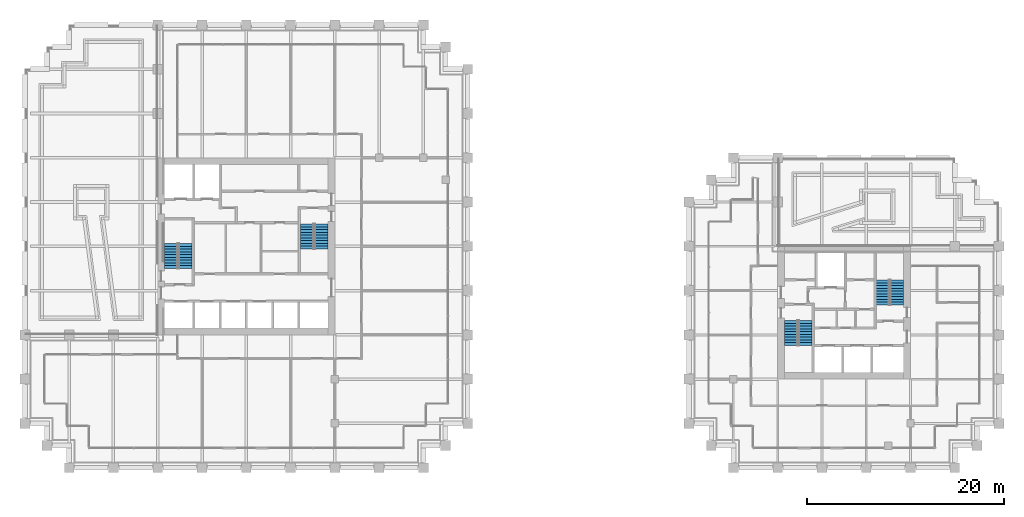
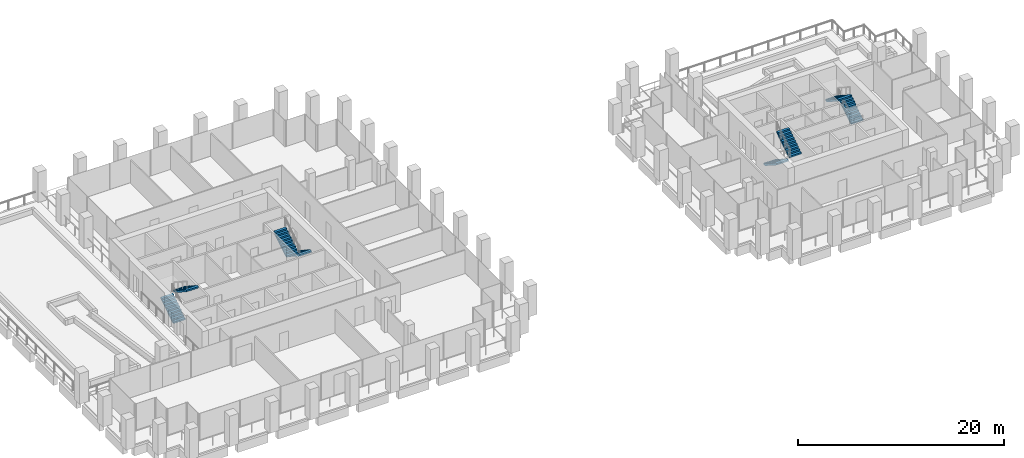
# One storey, part 49 of 52: 8 stair flights, 4 elements without a shape of their own.
"""IFC4 building model written with IfcOpenShell, lengths in metres."""

from ifc_helpers import new_model, si_unit, direction, frame, origin, place, context, subcontext, project, spatial, polyline, outline, extrude, material, type_object, element, aggregate, save


model = new_model("IFC4")

# Units and contexts
model_context = context("Model", 3, precision=1e-05, world=origin(), true_north=direction((0.0, 1.0)))
body_context = subcontext(model_context, "Body", "Model", "MODEL_VIEW")
ifc_project = project(units=[si_unit("LENGTHUNIT", "METRE"), si_unit("AREAUNIT", "SQUARE_METRE"), si_unit("VOLUMEUNIT", "CUBIC_METRE"), si_unit("PLANEANGLEUNIT", "RADIAN"), si_unit("MASSUNIT", "GRAM", prefix="KILO")], contexts=[model_context])

# Site, building, storey
site_placement = place(None, origin())
site = spatial("IfcSite", under=ifc_project, at=site_placement, CompositionType="ELEMENT")
building_placement = place(site_placement, origin())
building = spatial("IfcBuilding", under=site, at=building_placement, Name="Altepetl Exchange Towers", CompositionType="ELEMENT")
storey_placement = place(building_placement, frame((0.0, 0.0, 92.0)))
storey = spatial("IfcBuildingStorey", under=building, at=storey_placement, Name="L22", CompositionType="ELEMENT", Elevation=92.0)

# Stair, stair flights
ifc_material = material(Name="Concrete C40/50", Category="concrete")
stair_type = type_object("IfcStairType", Name="Exit stair 1350 flights dogleg", PredefinedType="HALF_TURN_STAIR", material=ifc_material)
stair_1_placement = place(storey_placement, origin())
stair_1 = element("IfcStair", 1, at=stair_1_placement, inside=storey, type_object=stair_type, Name="Exit stair 1", PredefinedType="HALF_TURN_STAIR")
stair_flight_type = type_object("IfcStairFlightType", Name="Stair flight 1350 wide", PredefinedType="STRAIGHT", material=ifc_material)
stair_flight_1_placement = place(storey_placement, frame((41.875, 47.25, 0.0), z_axis=(0.0, 0.0, 1.0), x_axis=(0.0, 1.0, 0.0)))
stair_flight_1 = element("IfcStairFlight", 2, at=stair_flight_1_placement, type_object=stair_flight_type, Name="ST-A1d flight 1", NumberOfRisers=10, NumberOfTreads=9, PredefinedType="STRAIGHT", RiserHeight=0.18, TreadLength=0.28, context=body_context, shape_type="SweptSolid", body=[
    extrude(outline(polyline([(0.0, 0.0), (0.0, 0.179931640625), (0.280029296875, 0.179931640625), (0.280029296875, 0.360107421875), (0.56005859375, 0.360107421875), (0.56005859375, 0.5400390625), (0.840087890625, 0.5400390625), (0.840087890625, 0.719970703125), (1.1201171875, 0.719970703125), (1.1201171875, 0.89990234375), (1.39990234375, 0.89990234375), (1.39990234375, 1.080078125), (1.679931640625, 1.080078125), (1.679931640625, 1.260009765625), (1.9599609375, 1.260009765625), (1.9599609375, 1.43994140625), (2.239990234375, 1.43994140625), (2.239990234375, 1.6201171875), (2.52001953125, 1.6201171875), (2.52001953125, 1.800048828125), (2.52001953125, 1.44189453125), (0.277099609375, 0.0), (0.0, 0.0)])), frame((0.0, 0.675048828125, 0.0), z_axis=(0.0, -1.0, 0.0), x_axis=(1.0, 0.0, 0.0)), (0.0, 0.0, 1.0), 1.35009765625),
])
stair_flight_2_placement = place(storey_placement, frame((43.324951171875, 49.77001953125, 1.800048828125), z_axis=(0.0, 0.0, 1.0), x_axis=(0.0, -1.0, 0.0)))
stair_flight_2 = element("IfcStairFlight", 3, at=stair_flight_2_placement, type_object=stair_flight_type, Name="ST-A1d flight 2", NumberOfRisers=10, NumberOfTreads=9, PredefinedType="STRAIGHT", RiserHeight=0.18, TreadLength=0.28, context=body_context, shape_type="SweptSolid", body=[
    extrude(outline(polyline([(0.0, 0.0), (0.0, 0.179931640625), (0.280029296875, 0.179931640625), (0.280029296875, 0.360107421875), (0.56005859375, 0.360107421875), (0.56005859375, 0.5400390625), (0.840087890625, 0.5400390625), (0.840087890625, 0.719970703125), (1.1201171875, 0.719970703125), (1.1201171875, 0.89990234375), (1.39990234375, 0.89990234375), (1.39990234375, 1.080078125), (1.679931640625, 1.080078125), (1.679931640625, 1.260009765625), (1.9599609375, 1.260009765625), (1.9599609375, 1.43994140625), (2.239990234375, 1.43994140625), (2.239990234375, 1.6201171875), (2.52001953125, 1.6201171875), (2.52001953125, 1.800048828125), (2.52001953125, 1.44189453125), (0.277099609375, 0.0), (0.0, 0.0)])), frame((0.0, 0.675048828125, 0.0), z_axis=(0.0, -1.0, 0.0), x_axis=(1.0, 0.0, 0.0)), (0.0, 0.0, 1.0), 1.35009765625),
])
aggregate(stair_1, [stair_flight_1, stair_flight_2])

stair_2_placement = place(storey_placement, origin())
stair_2 = element("IfcStair", 4, at=stair_2_placement, inside=storey, type_object=stair_type, Name="Exit stair 2", PredefinedType="HALF_TURN_STAIR")
stair_flight_3_placement = place(storey_placement, frame((57.125, 51.75, 0.0), z_axis=(0.0, 0.0, 1.0), x_axis=(0.0, -1.0, 0.0)))
stair_flight_3 = element("IfcStairFlight", 5, at=stair_flight_3_placement, type_object=stair_flight_type, Name="ST-A2d flight 1", NumberOfRisers=10, NumberOfTreads=9, PredefinedType="STRAIGHT", RiserHeight=0.18, TreadLength=0.28, context=body_context, shape_type="SweptSolid", body=[
    extrude(outline(polyline([(0.0, 0.0), (0.0, 0.179931640625), (0.280029296875, 0.179931640625), (0.280029296875, 0.360107421875), (0.56005859375, 0.360107421875), (0.56005859375, 0.5400390625), (0.840087890625, 0.5400390625), (0.840087890625, 0.719970703125), (1.1201171875, 0.719970703125), (1.1201171875, 0.89990234375), (1.39990234375, 0.89990234375), (1.39990234375, 1.080078125), (1.679931640625, 1.080078125), (1.679931640625, 1.260009765625), (1.9599609375, 1.260009765625), (1.9599609375, 1.43994140625), (2.239990234375, 1.43994140625), (2.239990234375, 1.6201171875), (2.52001953125, 1.6201171875), (2.52001953125, 1.800048828125), (2.52001953125, 1.44189453125), (0.277099609375, 0.0), (0.0, 0.0)])), frame((0.0, 0.675048828125, 0.0), z_axis=(0.0, -1.0, 0.0), x_axis=(1.0, 0.0, 0.0)), (0.0, 0.0, 1.0), 1.35009765625),
])
stair_flight_4_placement = place(storey_placement, frame((55.675048828125, 49.22998046875, 1.800048828125), z_axis=(0.0, 0.0, 1.0), x_axis=(0.0, 1.0, 0.0)))
stair_flight_4 = element("IfcStairFlight", 6, at=stair_flight_4_placement, type_object=stair_flight_type, Name="ST-A2d flight 2", NumberOfRisers=10, NumberOfTreads=9, PredefinedType="STRAIGHT", RiserHeight=0.18, TreadLength=0.28, context=body_context, shape_type="SweptSolid", body=[
    extrude(outline(polyline([(0.0, 0.0), (0.0, 0.179931640625), (0.280029296875, 0.179931640625), (0.280029296875, 0.360107421875), (0.56005859375, 0.360107421875), (0.56005859375, 0.5400390625), (0.840087890625, 0.5400390625), (0.840087890625, 0.719970703125), (1.1201171875, 0.719970703125), (1.1201171875, 0.89990234375), (1.39990234375, 0.89990234375), (1.39990234375, 1.080078125), (1.679931640625, 1.080078125), (1.679931640625, 1.260009765625), (1.9599609375, 1.260009765625), (1.9599609375, 1.43994140625), (2.239990234375, 1.43994140625), (2.239990234375, 1.6201171875), (2.52001953125, 1.6201171875), (2.52001953125, 1.800048828125), (2.52001953125, 1.44189453125), (0.277099609375, 0.0), (0.0, 0.0)])), frame((0.0, 0.675048828125, 0.0), z_axis=(0.0, -1.0, 0.0), x_axis=(1.0, 0.0, 0.0)), (0.0, 0.0, 1.0), 1.35009765625),
])
aggregate(stair_2, [stair_flight_3, stair_flight_4])

stair_3_placement = place(storey_placement, origin())
stair_3 = element("IfcStair", 7, at=stair_3_placement, inside=storey, type_object=stair_type, Name="Exit stair 1", PredefinedType="HALF_TURN_STAIR")
stair_flight_5_placement = place(storey_placement, frame((104.875, 41.949951171875, 0.0), z_axis=(0.0, 0.0, 1.0), x_axis=(0.0, -1.0, 0.0)))
stair_flight_5 = element("IfcStairFlight", 8, at=stair_flight_5_placement, type_object=stair_flight_type, Name="ST-B1d flight 1", NumberOfRisers=10, NumberOfTreads=9, PredefinedType="STRAIGHT", RiserHeight=0.18, TreadLength=0.28, context=body_context, shape_type="SweptSolid", body=[
    extrude(outline(polyline([(0.0, 0.0), (0.0, 0.179931640625), (0.280029296875, 0.179931640625), (0.280029296875, 0.360107421875), (0.56005859375, 0.360107421875), (0.56005859375, 0.5400390625), (0.840087890625, 0.5400390625), (0.840087890625, 0.719970703125), (1.1201171875, 0.719970703125), (1.1201171875, 0.89990234375), (1.39990234375, 0.89990234375), (1.39990234375, 1.080078125), (1.679931640625, 1.080078125), (1.679931640625, 1.260009765625), (1.9599609375, 1.260009765625), (1.9599609375, 1.43994140625), (2.239990234375, 1.43994140625), (2.239990234375, 1.6201171875), (2.52001953125, 1.6201171875), (2.52001953125, 1.800048828125), (2.52001953125, 1.44189453125), (0.277099609375, 0.0), (0.0, 0.0)])), frame((0.0, 0.675048828125, 0.0), z_axis=(0.0, -1.0, 0.0), x_axis=(1.0, 0.0, 0.0)), (0.0, 0.0, 1.0), 1.35009765625),
])
stair_flight_6_placement = place(storey_placement, frame((106.324951171875, 39.429931640625, 1.800048828125), z_axis=(0.0, 0.0, 1.0), x_axis=(0.0, 1.0, 0.0)))
stair_flight_6 = element("IfcStairFlight", 9, at=stair_flight_6_placement, type_object=stair_flight_type, Name="ST-B1d flight 2", NumberOfRisers=10, NumberOfTreads=9, PredefinedType="STRAIGHT", RiserHeight=0.18, TreadLength=0.28, context=body_context, shape_type="SweptSolid", body=[
    extrude(outline(polyline([(0.0, 0.0), (0.0, 0.179931640625), (0.280029296875, 0.179931640625), (0.280029296875, 0.360107421875), (0.56005859375, 0.360107421875), (0.56005859375, 0.5400390625), (0.840087890625, 0.5400390625), (0.840087890625, 0.719970703125), (1.1201171875, 0.719970703125), (1.1201171875, 0.89990234375), (1.39990234375, 0.89990234375), (1.39990234375, 1.080078125), (1.679931640625, 1.080078125), (1.679931640625, 1.260009765625), (1.9599609375, 1.260009765625), (1.9599609375, 1.43994140625), (2.239990234375, 1.43994140625), (2.239990234375, 1.6201171875), (2.52001953125, 1.6201171875), (2.52001953125, 1.800048828125), (2.52001953125, 1.44189453125), (0.277099609375, 0.0), (0.0, 0.0)])), frame((0.0, 0.675048828125, 0.0), z_axis=(0.0, -1.0, 0.0), x_axis=(1.0, 0.0, 0.0)), (0.0, 0.0, 1.0), 1.35009765625),
])
aggregate(stair_3, [stair_flight_5, stair_flight_6])

stair_4_placement = place(storey_placement, origin())
stair_4 = element("IfcStair", 10, at=stair_4_placement, inside=storey, type_object=stair_type, Name="Exit stair 2", PredefinedType="HALF_TURN_STAIR")
stair_flight_7_placement = place(storey_placement, frame((115.625, 43.550048828125, 0.0), z_axis=(0.0, 0.0, 1.0), x_axis=(0.0, 1.0, 0.0)))
stair_flight_7 = element("IfcStairFlight", 11, at=stair_flight_7_placement, type_object=stair_flight_type, Name="ST-B2d flight 1", NumberOfRisers=10, NumberOfTreads=9, PredefinedType="STRAIGHT", RiserHeight=0.18, TreadLength=0.28, context=body_context, shape_type="SweptSolid", body=[
    extrude(outline(polyline([(0.0, 0.0), (0.0, 0.179931640625), (0.280029296875, 0.179931640625), (0.280029296875, 0.360107421875), (0.56005859375, 0.360107421875), (0.56005859375, 0.5400390625), (0.840087890625, 0.5400390625), (0.840087890625, 0.719970703125), (1.1201171875, 0.719970703125), (1.1201171875, 0.89990234375), (1.39990234375, 0.89990234375), (1.39990234375, 1.080078125), (1.679931640625, 1.080078125), (1.679931640625, 1.260009765625), (1.9599609375, 1.260009765625), (1.9599609375, 1.43994140625), (2.239990234375, 1.43994140625), (2.239990234375, 1.6201171875), (2.52001953125, 1.6201171875), (2.52001953125, 1.800048828125), (2.52001953125, 1.44189453125), (0.277099609375, 0.0), (0.0, 0.0)])), frame((0.0, 0.675048828125, 0.0), z_axis=(0.0, -1.0, 0.0), x_axis=(1.0, 0.0, 0.0)), (0.0, 0.0, 1.0), 1.35009765625),
])
stair_flight_8_placement = place(storey_placement, frame((114.175048828125, 46.070068359375, 1.800048828125), z_axis=(0.0, 0.0, 1.0), x_axis=(0.0, -1.0, 0.0)))
stair_flight_8 = element("IfcStairFlight", 12, at=stair_flight_8_placement, type_object=stair_flight_type, Name="ST-B2d flight 2", NumberOfRisers=10, NumberOfTreads=9, PredefinedType="STRAIGHT", RiserHeight=0.18, TreadLength=0.28, context=body_context, shape_type="SweptSolid", body=[
    extrude(outline(polyline([(0.0, 0.0), (0.0, 0.179931640625), (0.280029296875, 0.179931640625), (0.280029296875, 0.360107421875), (0.56005859375, 0.360107421875), (0.56005859375, 0.5400390625), (0.840087890625, 0.5400390625), (0.840087890625, 0.719970703125), (1.1201171875, 0.719970703125), (1.1201171875, 0.89990234375), (1.39990234375, 0.89990234375), (1.39990234375, 1.080078125), (1.679931640625, 1.080078125), (1.679931640625, 1.260009765625), (1.9599609375, 1.260009765625), (1.9599609375, 1.43994140625), (2.239990234375, 1.43994140625), (2.239990234375, 1.6201171875), (2.52001953125, 1.6201171875), (2.52001953125, 1.800048828125), (2.52001953125, 1.44189453125), (0.277099609375, 0.0), (0.0, 0.0)])), frame((0.0, 0.675048828125, 0.0), z_axis=(0.0, -1.0, 0.0), x_axis=(1.0, 0.0, 0.0)), (0.0, 0.0, 1.0), 1.35009765625),
])
aggregate(stair_4, [stair_flight_7, stair_flight_8])

save(model, "model.ifc")
